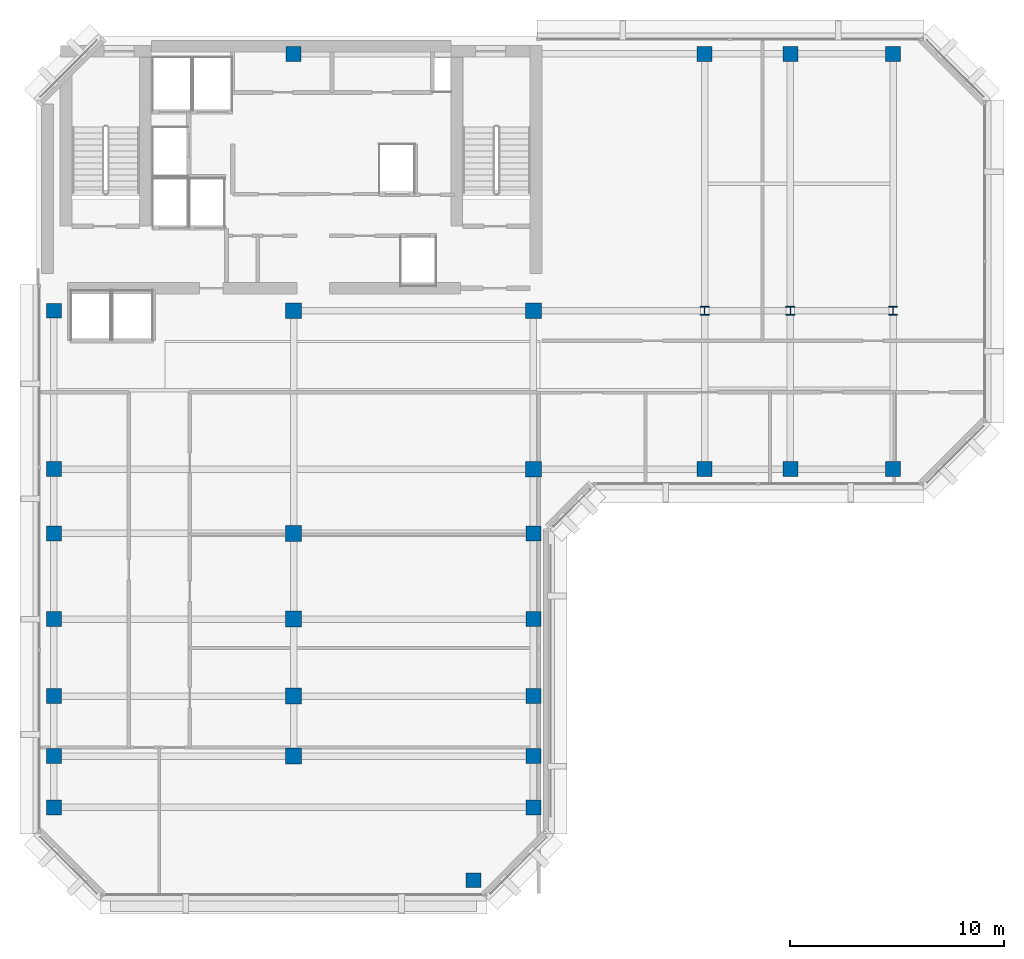
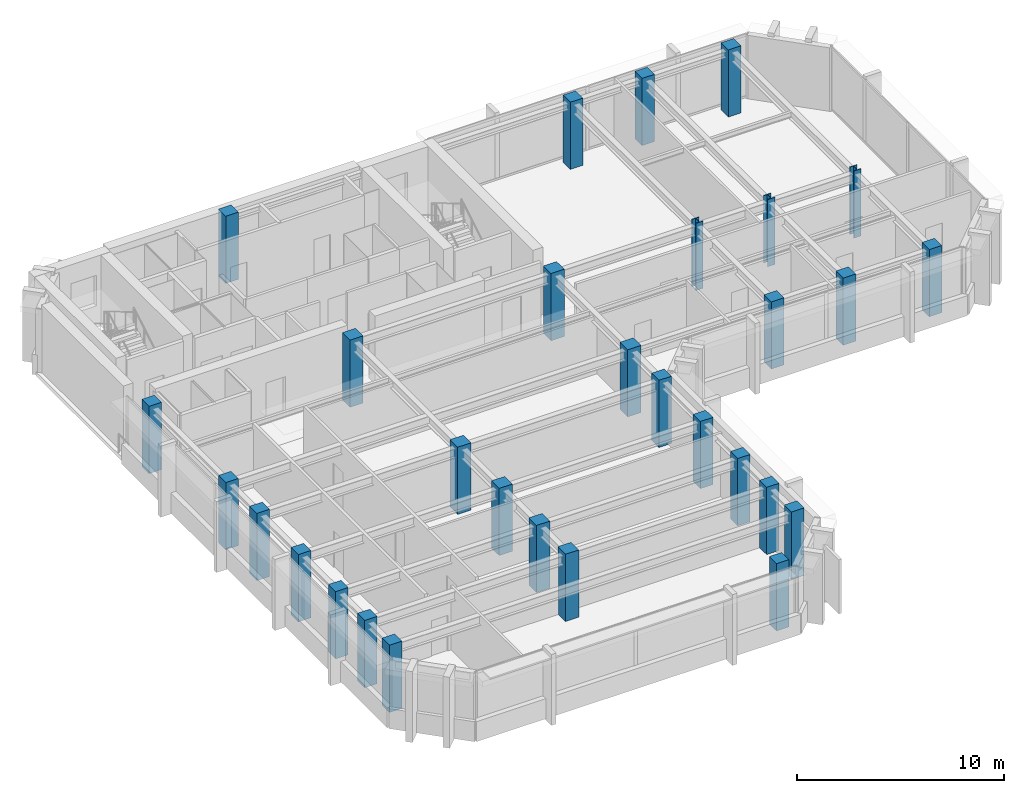
# One storey, part 1 of 11: 30 columns.
"""IFC4 building model written with IfcOpenShell, lengths in metres."""

from ifc_helpers import new_model, si_unit, direction, frame, origin, origin_2d, place, context, subcontext, project, spatial, rectangle, i_section, extrude, material, material_profile, profile_set, type_object, element, save


model = new_model("IFC4")

# Units and contexts
model_context = context("Model", 3, precision=1e-05, world=origin(), true_north=direction((0.0, 1.0)))
body_context = subcontext(model_context, "Body", "Model", "MODEL_VIEW")
ifc_project = project(units=[si_unit("LENGTHUNIT", "METRE"), si_unit("AREAUNIT", "SQUARE_METRE"), si_unit("VOLUMEUNIT", "CUBIC_METRE"), si_unit("PLANEANGLEUNIT", "RADIAN"), si_unit("MASSUNIT", "GRAM", prefix="KILO")], contexts=[model_context])

# Site, building, storey
site_placement = place(None, origin())
site = spatial("IfcSite", under=ifc_project, at=site_placement, CompositionType="ELEMENT")
building_placement = place(site_placement, origin())
building = spatial("IfcBuilding", under=site, at=building_placement, Name="Kefirva Bronze Tower", CompositionType="ELEMENT")
storey_placement = place(building_placement, frame((0.0, 0.0, 284.1298828125)))
storey = spatial("IfcBuildingStorey", under=building, at=storey_placement, Name="L69", CompositionType="ELEMENT", Elevation=284.1298828125)

# Columns
ifc_material_1 = material(Name="Concrete C50/60", Category="concrete")
ifc_material_profile_1 = material_profile(ifc_material_1, rectangle(XDim=0.699951171875, YDim=0.699951171875, at=origin_2d()), Name="RC 700x700")
ifc_profile_set_1 = profile_set([ifc_material_profile_1], Name="Concrete C50/60")
column_type_1 = type_object("IfcColumnType", Name="RC Column 700x700 Ext", PredefinedType="COLUMN", material=ifc_profile_set_1)
for number, where, z_axis, x_axis, name in (
    (1, (0.800048828125, 10.0, 0.0), (0.0, 0.0, 1.0), (1.0, 0.0, 0.0), "L69 Column C008_100"),
    (2, (0.800048828125, 12.39990234375, 0.0), (0.0, 0.0, 1.0), (1.0, 0.0, 0.0), "L69 Column C008_124"),
    (3, (0.800048828125, 15.199951171875, 0.0), (0.0, 0.0, 1.0), (1.0, 0.0, 0.0), "L69 Column C008_152"),
    (4, (0.800048828125, 18.800048828125, 0.0), (0.0, 0.0, 1.0), (1.0, 0.0, 0.0), "L69 Column C008_188"),
    (5, (0.800048828125, 22.800048828125, 0.0), (0.0, 0.0, 1.0), (1.0, 0.0, 0.0), "L69 Column C008_228"),
    (6, (0.800048828125, 25.800048828125, 0.0), (0.0, 0.0, 1.0), (1.0, 0.0, 0.0), "L69 Column C008_258"),
    (7, (0.800048828125, 33.199951171875, 0.0), (0.0, 0.0, 1.0), (1.0, 0.0, 0.0), "L69 Column C008_332"),
    (8, (12.0, 45.199951171875, 0.0), (0.0, 0.0, 1.0), (1.0, 0.0, 0.0), "L69 Column C120_452"),
    (9, (20.39990234375, 6.60009765625, 0.0), (0.0, 0.0, 1.0), (1.0, 0.0, 0.0), "L69 Column C204_066"),
    (10, (23.199951171875, 10.0, 0.0), (0.0, 0.0, 1.0), (1.0, 0.0, 0.0), "L69 Column C232_100"),
    (11, (23.199951171875, 12.39990234375, 0.0), (0.0, 0.0, 1.0), (1.0, 0.0, 0.0), "L69 Column C232_124"),
    (12, (23.199951171875, 15.199951171875, 0.0), (0.0, 0.0, 1.0), (1.0, 0.0, 0.0), "L69 Column C232_152"),
    (13, (23.199951171875, 18.800048828125, 0.0), (0.0, 0.0, 1.0), (1.0, 0.0, 0.0), "L69 Column C232_188"),
    (14, (23.199951171875, 22.800048828125, 0.0), (0.0, 0.0, 1.0), (1.0, 0.0, 0.0), "L69 Column C232_228"),
    (15, (31.199951171875, 25.800048828125, 0.0), (0.0, 0.0, 1.0), (1.0, 0.0, 0.0), "L69 Column C312_258"),
    (16, (31.199951171875, 45.199951171875, 0.0), (0.0, 0.0, 1.0), (1.0, 0.0, 0.0), "L69 Column C312_452"),
    (17, (35.199951171875, 25.800048828125, 0.0), (0.0, 0.0, 1.0), (1.0, 0.0, 0.0), "L69 Column C352_258"),
    (18, (35.199951171875, 45.199951171875, 0.0), (0.0, 0.0, 1.0), (1.0, 0.0, 0.0), "L69 Column C352_452"),
    (19, (40.0, 25.800048828125, 0.0), (0.0, 0.0, 1.0), (1.0, 0.0, 0.0), "L69 Column C400_258"),
    (20, (40.0, 45.199951171875, 0.0), (0.0, 0.0, 1.0), (1.0, 0.0, 0.0), "L69 Column C400_452"),
):
    element("IfcColumn", number, at=place(storey_placement, frame(where, z_axis=z_axis, x_axis=x_axis)), inside=storey, type_object=column_type_1, Name=name, PredefinedType="COLUMN", context=body_context, shape_type="SweptSolid", body=[
        extrude(rectangle(XDim=0.699951171875, YDim=0.699951171875, at=origin_2d()), origin(), (0.0, 0.0, 1.0), 3.960205078125),
    ])
ifc_material_profile_2 = material_profile(ifc_material_1, rectangle(XDim=0.739990234375, YDim=0.739990234375, at=origin_2d()), Name="RC 740x740")
ifc_profile_set_2 = profile_set([ifc_material_profile_2], Name="Concrete C50/60")
column_type_2 = type_object("IfcColumnType", Name="RC Column 740x740 Int", PredefinedType="COLUMN", material=ifc_profile_set_2)
for number, where, z_axis, x_axis, name in (
    (21, (12.0, 12.39990234375, 0.0), (0.0, 0.0, 1.0), (1.0, 0.0, 0.0), "L69 Column C120_124"),
    (22, (12.0, 15.199951171875, 0.0), (0.0, 0.0, 1.0), (1.0, 0.0, 0.0), "L69 Column C120_152"),
    (23, (12.0, 18.800048828125, 0.0), (0.0, 0.0, 1.0), (1.0, 0.0, 0.0), "L69 Column C120_188"),
    (24, (12.0, 22.800048828125, 0.0), (0.0, 0.0, 1.0), (1.0, 0.0, 0.0), "L69 Column C120_228"),
    (25, (12.0, 33.199951171875, 0.0), (0.0, 0.0, 1.0), (1.0, 0.0, 0.0), "L69 Column C120_332"),
    (26, (23.199951171875, 25.800048828125, 0.0), (0.0, 0.0, 1.0), (1.0, 0.0, 0.0), "L69 Column C232_258"),
    (27, (23.199951171875, 33.199951171875, 0.0), (0.0, 0.0, 1.0), (1.0, 0.0, 0.0), "L69 Column C232_332"),
):
    element("IfcColumn", number, at=place(storey_placement, frame(where, z_axis=z_axis, x_axis=x_axis)), inside=storey, type_object=column_type_2, Name=name, PredefinedType="COLUMN", context=body_context, shape_type="SweptSolid", body=[
        extrude(rectangle(XDim=0.739990234375, YDim=0.739990234375, at=origin_2d()), origin(), (0.0, 0.0, 1.0), 3.960205078125),
    ])
ifc_material_2 = material(Name="Steel S460", Category="steel")
ifc_material_profile_3 = material_profile(ifc_material_2, i_section(OverallWidth=0.406005859375, OverallDepth=0.416015625, WebThickness=0.02197265625, FlangeThickness=0.035888671875, at=origin_2d()), Name="HD 400x382")
ifc_profile_set_3 = profile_set([ifc_material_profile_3], Name="Steel S460")
column_type_3 = type_object("IfcColumnType", Name="Steel Column HD 400x382", PredefinedType="COLUMN", material=ifc_profile_set_3)
for number, where, z_axis, x_axis, name in (
    (28, (31.199951171875, 33.199951171875, 0.0), (0.0, 0.0, 1.0), (1.0, 0.0, 0.0), "L69 Column C312_332"),
    (29, (35.199951171875, 33.199951171875, 0.0), (0.0, 0.0, 1.0), (1.0, 0.0, 0.0), "L69 Column C352_332"),
    (30, (40.0, 33.199951171875, 0.0), (0.0, 0.0, 1.0), (1.0, 0.0, 0.0), "L69 Column C400_332"),
):
    element("IfcColumn", number, at=place(storey_placement, frame(where, z_axis=z_axis, x_axis=x_axis)), inside=storey, type_object=column_type_3, Name=name, PredefinedType="COLUMN", context=body_context, shape_type="SweptSolid", body=[
        extrude(i_section(OverallWidth=0.406005859375, OverallDepth=0.416015625, WebThickness=0.02197265625, FlangeThickness=0.035888671875, at=origin_2d()), origin(), (0.0, 0.0, 1.0), 3.960205078125),
    ])

save(model, "model.ifc")
